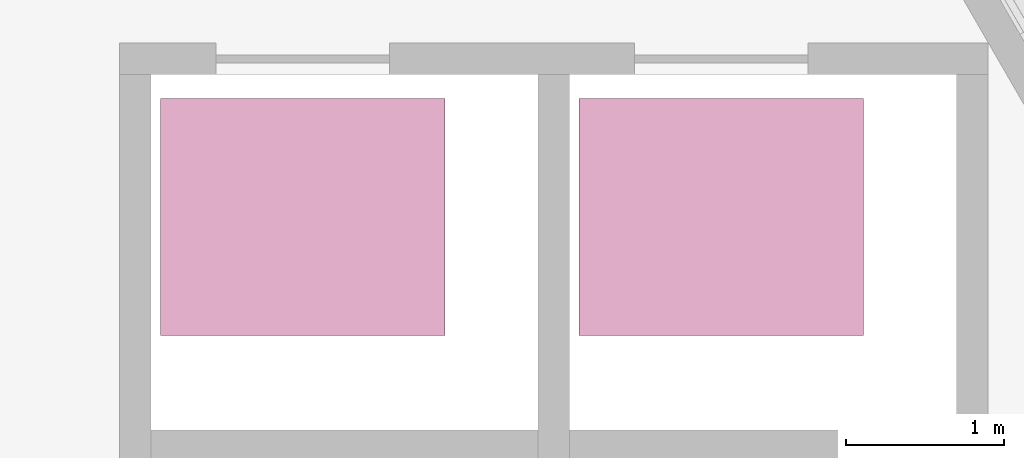
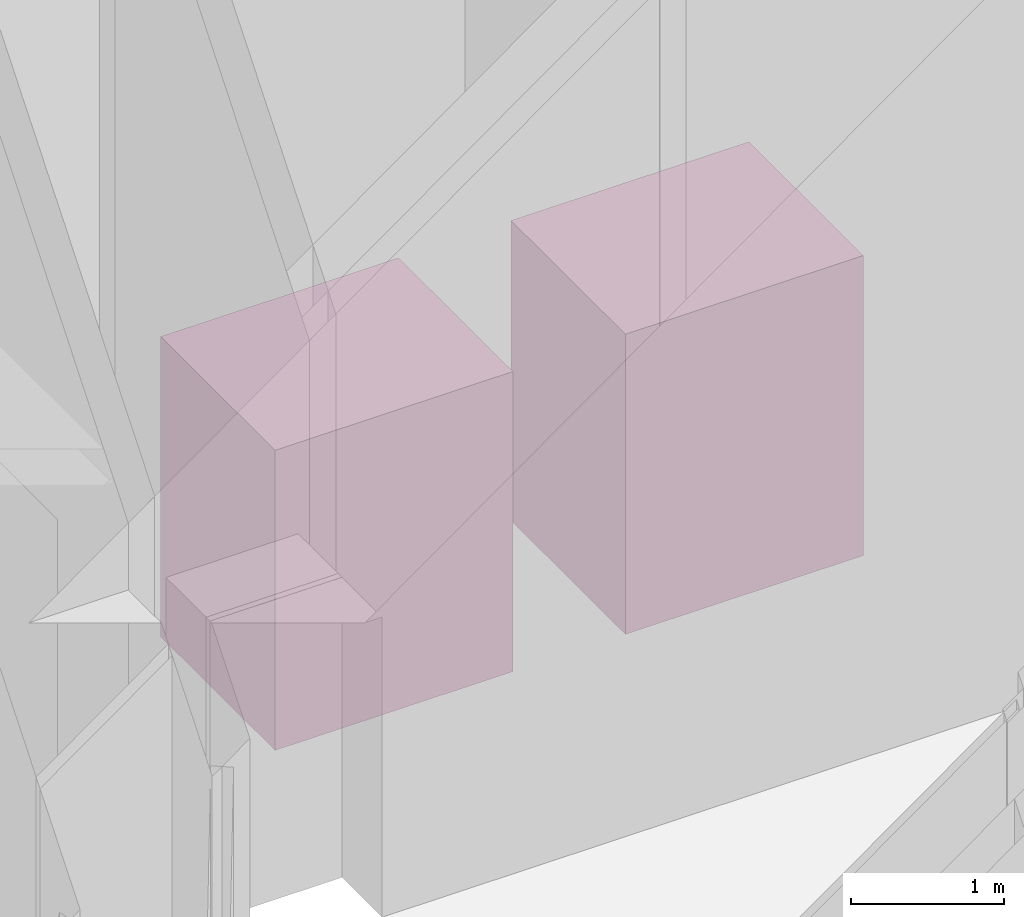
# One storey, part 13 of 13: 2 transport elements.
"""IFC4 building model written with IfcOpenShell, lengths in metres."""

import ifcopenshell
import ifcopenshell.guid

model = None  # the IFC model being written
_history = None  # IfcOwnerHistory: only IFC2X3 demands one
_inside = {}  # id of a spatial element -> (the spatial element, [elements in it])
_under = {}  # id of a project, library or spatial element -> (it, [spatial elements below it])
_declared = {}  # id of a project -> (the project, [libraries it declares])
_typed = {}  # id of a type object -> (the type object, [elements of that type])
_made_of = {}  # id of a material, layer set ... -> (it, [elements and type objects made of it])


def new_model(schema):
    """Start an empty IFC model of exactly this schema.

    Asked for "IFC4X3", IfcOpenShell would pick the latest addendum, in which some entities
    have other attributes; the version numbers below select the first issue.
    IFC2X3 requires an IfcOwnerHistory on every rooted entity: one is made here for all.
    """
    global model, _history
    if schema == "IFC4X3":
        model = ifcopenshell.file(schema_version=(4, 3, 0, 0))
    else:
        model = ifcopenshell.file(schema=schema)
    _inside.clear()
    _under.clear()
    _declared.clear()
    _typed.clear()
    _made_of.clear()
    _history = None
    if model.schema == "IFC2X3":
        org = make("IfcOrganization", Name="unknown")
        user = make(
            "IfcPersonAndOrganization",
            ThePerson=make("IfcPerson", FamilyName="unknown"),
            TheOrganization=org,
        )
        app = make(
            "IfcApplication",
            ApplicationDeveloper=org,
            Version="unknown",
            ApplicationFullName="unknown",
            ApplicationIdentifier="unknown",
        )
        _history = make(
            "IfcOwnerHistory",
            OwningUser=user,
            OwningApplication=app,
            ChangeAction="ADDED",
            CreationDate=0,
        )
    return model


def make(cls, **values):
    """One entity of the class cls with the attributes given. An attribute that is None is left unset."""
    return model.create_entity(
        cls, **{name: value for name, value in values.items() if value is not None}
    )


def rooted(cls, **values):
    """An entity with a GlobalId (a new one), such as an element, a storey or a relation."""
    return make(cls, GlobalId=ifcopenshell.guid.new(), OwnerHistory=_history, **values)


def si_unit(unit_type, name, prefix=None):
    """IfcSIUnit, for example si_unit("LENGTHUNIT", "METRE", prefix="MILLI")."""
    return make("IfcSIUnit", UnitType=unit_type, Prefix=prefix, Name=name)


def assignment(units):
    """IfcUnitAssignment: the units of a project."""
    return None if units is None else make("IfcUnitAssignment", Units=units)


def point(xyz):
    """IfcCartesianPoint."""
    return None if xyz is None else make("IfcCartesianPoint", Coordinates=xyz)


def direction(xyz):
    """IfcDirection."""
    return None if xyz is None else make("IfcDirection", DirectionRatios=xyz)


def frame(location, z_axis=None, x_axis=None):
    """IfcAxis2Placement3D, a coordinate frame: its origin and axes. An axis left out is left unset."""
    return make(
        "IfcAxis2Placement3D",
        Location=point(location),
        Axis=direction(z_axis),
        RefDirection=direction(x_axis),
    )


def frame_2d(location, x_axis=None):
    """IfcAxis2Placement2D, a coordinate frame in the plane: its origin and x axis."""
    return make(
        "IfcAxis2Placement2D", Location=point(location), RefDirection=direction(x_axis)
    )


def origin():
    """The frame at (0, 0, 0) with its axes left unset."""
    return frame((0.0, 0.0, 0.0))


def origin_2d():
    """The frame at (0, 0) in the plane with its x axis left unset."""
    return frame_2d((0.0, 0.0))


def place(relative_to, where):
    """IfcLocalPlacement: puts the frame where relative to a parent placement (None: the world)."""
    return make(
        "IfcLocalPlacement", PlacementRelTo=relative_to, RelativePlacement=where
    )


def context(
    kind, dimensions, precision=None, world=None, true_north=None, identifier=None
):
    """IfcGeometricRepresentationContext, for example the 3D "Model" context."""
    return make(
        "IfcGeometricRepresentationContext",
        ContextIdentifier=identifier,
        ContextType=kind,
        CoordinateSpaceDimension=dimensions,
        Precision=precision,
        WorldCoordinateSystem=world,
        TrueNorth=true_north,
    )


def subcontext(parent, identifier, kind, view, scale=None):
    """IfcGeometricRepresentationSubContext, for example "Body" below "Model"."""
    return make(
        "IfcGeometricRepresentationSubContext",
        ContextIdentifier=identifier,
        ContextType=kind,
        ParentContext=parent,
        TargetScale=scale,
        TargetView=view,
    )


def project(units=None, contexts=None):
    """IfcProject with its units and contexts."""
    return rooted(
        "IfcProject",
        Name="project",
        RepresentationContexts=contexts,
        UnitsInContext=assignment(units),
    )


def spatial(cls, under=None, at=None, **own):
    """A site, building, storey or space (cls), placed at a placement, below another one or the project."""
    s = rooted(cls, ObjectPlacement=at, **own)
    if under is not None:
        _under.setdefault(under.id(), (under, []))[1].append(s)
    return s


def profile(cls, at=None, kind="AREA", **sizes):
    """A parametric profile (cls). Its sizes go by their IFC names, for example OverallWidth=200.0."""
    return make(cls, ProfileType=kind, Position=at, **sizes)


def rectangle(**sizes):
    """IfcRectangleProfileDef."""
    return profile("IfcRectangleProfileDef", **sizes)


def extrude(swept, where, along, depth):
    """IfcExtrudedAreaSolid: the profile swept, set in the frame where, extruded along a direction by depth."""
    return make(
        "IfcExtrudedAreaSolid",
        SweptArea=swept,
        Position=where,
        ExtrudedDirection=direction(along),
        Depth=depth,
    )


def shape(context_of_items, identifier, shape_type, items):
    """IfcShapeRepresentation: the items that make up one representation, for example the "Body"."""
    return make(
        "IfcShapeRepresentation",
        ContextOfItems=context_of_items,
        RepresentationIdentifier=identifier,
        RepresentationType=shape_type,
        Items=items,
    )


def material(Name=None, Category=None):
    """IfcMaterial."""
    return make("IfcMaterial", Name=Name, Category=Category)


def made_of(thing, what):
    """Note that an element or type object is made of a material, layer set ...; save() writes the relation."""
    if what is not None:
        _made_of.setdefault(what.id(), (what, []))[1].append(thing)
    return thing


def type_object(cls, material=None, **own):
    """A type object (cls), such as IfcWallType, which elements share."""
    return made_of(rooted(cls, **own), material)


def element(
    cls,
    number,
    at=None,
    inside=None,
    cuts=None,
    type_object=None,
    material=None,
    context=None,
    identifier="Body",
    shape_type=None,
    held_by="IfcProductDefinitionShape",
    body=None,
    shapes=None,
    **own,
):
    """One element of the class cls, such as IfcWall. Its Tag is "e" and its number.

    at: its placement. inside: the storey or other place that contains it. cuts: it is an
    opening in that element (IfcRelVoidsElement). A single representation is given by context,
    identifier, shape_type and body (its items); several are given by shapes. held_by: the class
    of the entity that holds the representations. save() writes the other relations.
    """
    e = rooted(cls, Tag="e%d" % number, ObjectPlacement=at, **own)
    if body is not None:
        shapes = [shape(context, identifier, shape_type, body)]
    if shapes is not None:
        e.Representation = make(held_by, Representations=shapes)
    if inside is not None:
        _inside.setdefault(inside.id(), (inside, []))[1].append(e)
    if cuts is not None:
        rooted(
            "IfcRelVoidsElement", RelatingBuildingElement=cuts, RelatedOpeningElement=e
        )
    if type_object is not None:
        _typed.setdefault(type_object.id(), (type_object, []))[1].append(e)
    return made_of(e, material)


def aggregate(whole, parts):
    """IfcRelAggregates: a whole, such as a stair, and the parts it consists of."""
    return rooted("IfcRelAggregates", RelatingObject=whole, RelatedObjects=parts)


def save(model, path):
    """Write the relations noted so far, then the file.

    IfcRelAggregates (storeys below a building ...), IfcRelContainedInSpatialStructure (elements
    in a storey), IfcRelDefinesByType, IfcRelAssociatesMaterial and IfcRelDeclares: one each for
    every whole, place, type object, material and project.
    """
    for whole, parts in _under.values():
        aggregate(whole, parts)
    for where, things in _inside.values():
        rooted(
            "IfcRelContainedInSpatialStructure",
            RelatedElements=things,
            RelatingStructure=where,
        )
    for kind, things in _typed.values():
        rooted("IfcRelDefinesByType", RelatedObjects=things, RelatingType=kind)
    for what, things in _made_of.values():
        rooted("IfcRelAssociatesMaterial", RelatedObjects=things, RelatingMaterial=what)
    for by, libraries in _declared.values():
        rooted("IfcRelDeclares", RelatingContext=by, RelatedDefinitions=libraries)
    model.write(path)


model = new_model("IFC4")

# Units and contexts
model_context = context("Model", 3, precision=1e-05, world=origin(), true_north=direction((0.0, 1.0)))
body_context = subcontext(model_context, "Body", "Model", "MODEL_VIEW")
ifc_project = project(units=[si_unit("LENGTHUNIT", "METRE"), si_unit("AREAUNIT", "SQUARE_METRE"), si_unit("VOLUMEUNIT", "CUBIC_METRE"), si_unit("PLANEANGLEUNIT", "RADIAN"), si_unit("MASSUNIT", "GRAM", prefix="KILO")], contexts=[model_context])

# Site, building, storey
site_placement = place(None, origin())
site = spatial("IfcSite", under=ifc_project, at=site_placement, CompositionType="ELEMENT")
building_placement = place(site_placement, origin())
building = spatial("IfcBuilding", under=site, at=building_placement, Name="Tramontana Tower", CompositionType="ELEMENT")
storey_placement = place(building_placement, origin())
storey = spatial("IfcBuildingStorey", under=building, at=storey_placement, Name="L00", CompositionType="ELEMENT", Elevation=0.0)

# Transport elements
ifc_material = material(Name="LIFT PASSENGER 1275 1800X1500")
transport_element_type = type_object("IfcTransportElementType", Name="LIFT PASSENGER 1275 1800X1500", PredefinedType="ELEVATOR", material=ifc_material)
for number, where, z_axis, x_axis, name in (
    (1, (0.449951171875, -4.0, 0.0), (0.0, 0.0, 1.0), (1.0, 0.0, 0.0), "Lift LL1"),
    (2, (3.10009765625, -4.0, 0.0), (0.0, 0.0, 1.0), (1.0, 0.0, 0.0), "Lift LL2"),
):
    element("IfcTransportElement", number, at=place(storey_placement, frame(where, z_axis=z_axis, x_axis=x_axis)), inside=storey, type_object=transport_element_type, Name=name, PredefinedType="ELEVATOR", context=body_context, shape_type="SweptSolid", body=[
        extrude(rectangle(XDim=1.800048828125, YDim=1.5, at=origin_2d()), origin(), (0.0, 0.0, 1.0), 2.39990234375),
    ])

save(model, "model.ifc")
